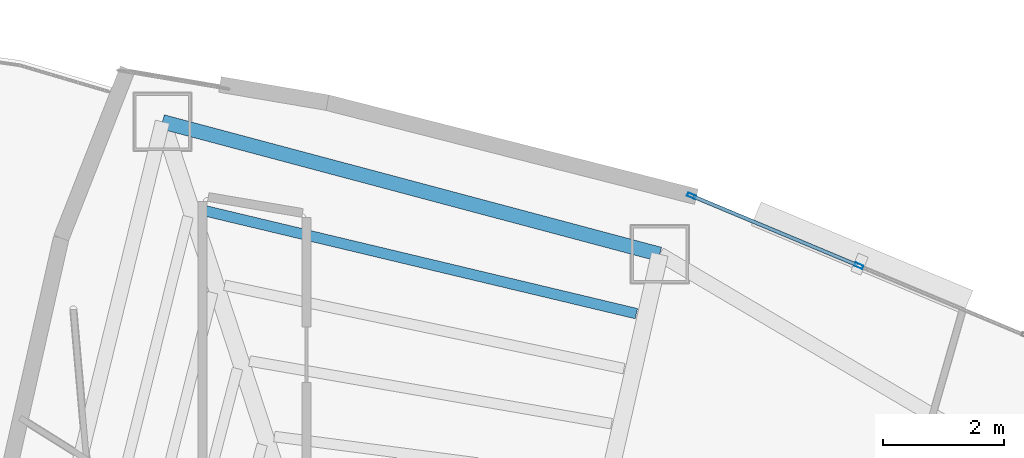
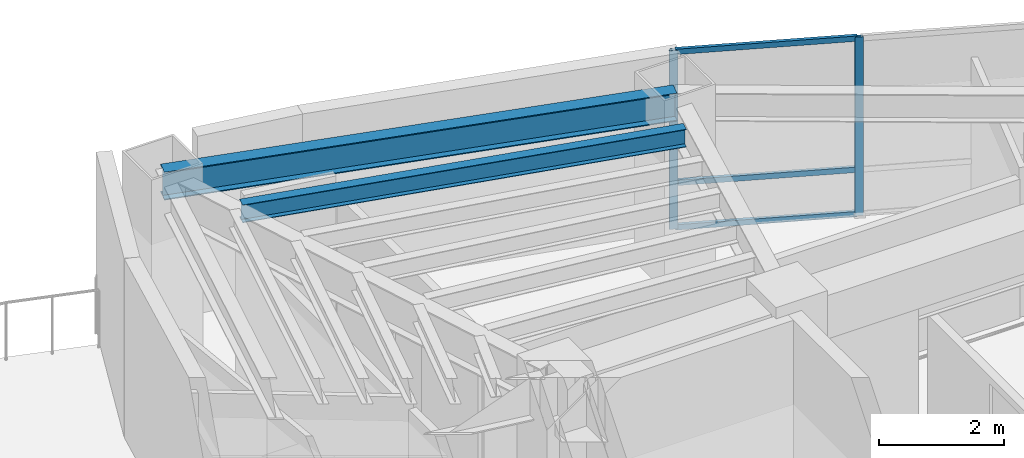
# One storey, part 9 of 17: 5 members, 2 beams, 1 element without a shape of its own.
"""IFC4 building model written with IfcOpenShell, lengths in metres."""

from ifc_helpers import new_model, si_unit, direction, frame, origin, origin_2d, place, context, subcontext, project, spatial, hollow_rectangle, i_section, extrude, material, layer, layer_set, material_profile, profile_set, type_object, element, aggregate, save


model = new_model("IFC4")

# Units and contexts
model_context = context("Model", 3, precision=1e-05, world=origin(), true_north=direction((0.0, 1.0)))
body_context = subcontext(model_context, "Body", "Model", "MODEL_VIEW")
ifc_project = project(units=[si_unit("LENGTHUNIT", "METRE"), si_unit("AREAUNIT", "SQUARE_METRE"), si_unit("VOLUMEUNIT", "CUBIC_METRE"), si_unit("PLANEANGLEUNIT", "RADIAN"), si_unit("MASSUNIT", "GRAM", prefix="KILO")], contexts=[model_context])

# Site, building, storey
site_placement = place(None, origin())
site = spatial("IfcSite", under=ifc_project, at=site_placement, CompositionType="ELEMENT")
building_placement = place(site_placement, origin())
building = spatial("IfcBuilding", under=site, at=building_placement, Name="Menara Vayukalpa", CompositionType="ELEMENT")
storey_placement = place(building_placement, frame((0.0, 0.0, 206.39990234375)))
storey = spatial("IfcBuildingStorey", under=building, at=storey_placement, Name="L52", CompositionType="ELEMENT", Elevation=206.39990234375)

# Beams
ifc_material_1 = material(Name="Steel S355", Category="steel")
ifc_material_profile_1 = material_profile(ifc_material_1, i_section(OverallWidth=0.175048828125, OverallDepth=0.35009765625, WebThickness=0.007080078125, FlangeThickness=0.010986328125, at=origin_2d()), Name="WF 350x175x7x11")
ifc_profile_set_1 = profile_set([ifc_material_profile_1], Name="Steel S355")
beam_type_1 = type_object("IfcBeamType", Name="BM-SJ3", PredefinedType="JOIST", material=ifc_profile_set_1)
beam_1_placement = place(storey_placement, frame((23.002685546875, 31.725830078125, 3.3251953125), z_axis=(-0.972731800574, 0.231932844055, 0.0), x_axis=(-0.231932844055, -0.972731800574, 0.0)))
element("IfcBeam", 1, at=beam_1_placement, inside=storey, type_object=beam_type_1, Name="L52 Secondary Floor Joist SJ03-5", PredefinedType="JOIST", context=body_context, shape_type="SweptSolid", body=[
    extrude(i_section(OverallWidth=0.175048828125, OverallDepth=0.35009765625, WebThickness=0.007080078125, FlangeThickness=0.010986328125, at=origin_2d()), origin(), (0.0, 0.0, 1.0), 7.4326171875),
])
ifc_material_2 = material(Name="Steel S355", Category="steel")
ifc_material_profile_2 = material_profile(ifc_material_2, i_section(OverallWidth=0.239990234375, OverallDepth=0.550048828125, WebThickness=0.010986328125, FlangeThickness=0.01904296875, at=origin_2d()), Name="WF 550x240x11x19")
ifc_profile_set_2 = profile_set([ifc_material_profile_2], Name="Steel S355")
beam_type_2 = type_object("IfcBeamType", Name="BM-SP2", PredefinedType="SPANDREL", material=ifc_profile_set_2)
beam_2_placement = place(storey_placement, frame((23.389404296875, 32.70849609375, 3.22509765625), z_axis=(-0.966287699272, 0.25746472037, 0.0), x_axis=(-0.25746472037, -0.966287699272, 0.0)))
element("IfcBeam", 2, at=beam_2_placement, inside=storey, type_object=beam_type_2, Name="L52 Perimeter Spandrel Beam SP03", PredefinedType="SPANDREL", context=body_context, shape_type="SweptSolid", body=[
    extrude(i_section(OverallWidth=0.239990234375, OverallDepth=0.550048828125, WebThickness=0.010986328125, FlangeThickness=0.01904296875, at=origin_2d()), origin(), (0.0, 0.0, 1.0), 8.52197265625),
])

# Curtain wall, members
ifc_material_3 = material(Name="Anodised Terracotta Aluminium Alloy 6063-T6", Category="masonry")
ifc_layer = layer(ifc_material_3, 0.139892578125)
ifc_layer_set = layer_set([ifc_layer], Name="Anodised Terracotta Aluminium Alloy 6063-T6")
curtain_wall_type = type_object("IfcCurtainWallType", Name="CW-CW5", PredefinedType="USERDEFINED", material=ifc_layer_set)
curtain_wall_placement = place(storey_placement, origin())
curtain_wall = element("IfcCurtainWall", 3, at=curtain_wall_placement, inside=storey, type_object=curtain_wall_type, Name="L52 High Rise Tapered Curtain Wall CW5 05", ObjectType="UNITISED", PredefinedType="USERDEFINED")
ifc_material_4 = material(Name="Anodised Terracotta Aluminium Alloy 6063-T6", Category="masonry")
ifc_material_profile_3 = material_profile(ifc_material_4, hollow_rectangle(XDim=0.06005859375, YDim=0.139892578125, WallThickness=0.00341796875, at=origin_2d()), Name="ALU 60x140x3.5")
ifc_profile_set_3 = profile_set([ifc_material_profile_3], Name="Anodised Terracotta Aluminium Alloy 6063-T6")
member_type_1 = type_object("IfcMemberType", Name="CWM-CW5", PredefinedType="MULLION", material=ifc_profile_set_3)
member_1_placement = place(storey_placement, frame((26.686279296875, 32.518310546875, 0.0), z_axis=(0.0, 0.0, 1.0), x_axis=(-0.385902834406, -0.922539431351, 0.0)))
member_1 = element("IfcMember", 4, at=member_1_placement, type_object=member_type_1, Name="CW5 mullion 2", PredefinedType="MULLION", context=body_context, shape_type="SweptSolid", body=[
    extrude(hollow_rectangle(XDim=0.06005859375, YDim=0.139892578125, WallThickness=0.00341796875, at=origin_2d()), origin(), (0.0, 0.0, 1.0), 3.5),
])
member_2_placement = place(storey_placement, frame((23.916259765625, 33.677001953125, 0.0), z_axis=(0.0, 0.0, 1.0), x_axis=(-0.385902834406, -0.922539431351, 0.0)))
member_2 = element("IfcMember", 5, at=member_2_placement, type_object=member_type_1, Name="CW5 mullion 3", PredefinedType="MULLION", context=body_context, shape_type="SweptSolid", body=[
    extrude(hollow_rectangle(XDim=0.06005859375, YDim=0.139892578125, WallThickness=0.00341796875, at=origin_2d()), origin(), (0.0, 0.0, 1.0), 3.5),
])
ifc_material_5 = material(Name="Anodised Terracotta Aluminium Alloy 6063-T6", Category="masonry")
ifc_material_profile_4 = material_profile(ifc_material_5, hollow_rectangle(XDim=0.06005859375, YDim=0.10498046875, WallThickness=0.0029296875, at=origin_2d()), Name="ALU 60x105x3")
ifc_profile_set_4 = profile_set([ifc_material_profile_4], Name="Anodised Terracotta Aluminium Alloy 6063-T6")
member_type_2 = type_object("IfcMemberType", Name="CWT-CW5", PredefinedType="USERDEFINED", material=ifc_profile_set_4)
member_3_placement = place(storey_placement, frame((26.658447265625, 32.530029296875, 0.030029296875), z_axis=(-0.922543360613, 0.385893440976, 0.0), x_axis=(-0.385893440976, -0.922543360613, 0.0)))
member_3 = element("IfcMember", 6, at=member_3_placement, type_object=member_type_2, Name="CW5 transom 2.1", ObjectType="TRANSOM", PredefinedType="USERDEFINED", context=body_context, shape_type="SweptSolid", body=[
    extrude(hollow_rectangle(XDim=0.06005859375, YDim=0.10498046875, WallThickness=0.0029296875, at=origin_2d()), origin(), (0.0, 0.0, 1.0), 2.942626953125),
])
member_4_placement = place(storey_placement, frame((26.658447265625, 32.530029296875, 0.900146484375), z_axis=(-0.922543360613, 0.385893440976, 0.0), x_axis=(-0.385893440976, -0.922543360613, 0.0)))
member_4 = element("IfcMember", 7, at=member_4_placement, type_object=member_type_2, Name="CW5 transom 2.2", ObjectType="TRANSOM", PredefinedType="USERDEFINED", context=body_context, shape_type="SweptSolid", body=[
    extrude(hollow_rectangle(XDim=0.06005859375, YDim=0.10498046875, WallThickness=0.0029296875, at=origin_2d()), origin(), (0.0, 0.0, 1.0), 2.942626953125),
])
member_5_placement = place(storey_placement, frame((26.658447265625, 32.530029296875, 3.47021484375), z_axis=(-0.922543360613, 0.385893440976, 0.0), x_axis=(-0.385893440976, -0.922543360613, 0.0)))
member_5 = element("IfcMember", 8, at=member_5_placement, type_object=member_type_2, Name="CW5 transom 2.3", ObjectType="TRANSOM", PredefinedType="USERDEFINED", context=body_context, shape_type="SweptSolid", body=[
    extrude(hollow_rectangle(XDim=0.06005859375, YDim=0.10498046875, WallThickness=0.0029296875, at=origin_2d()), origin(), (0.0, 0.0, 1.0), 2.942626953125),
])
aggregate(curtain_wall, [member_1, member_2, member_3, member_4, member_5])

save(model, "model.ifc")
